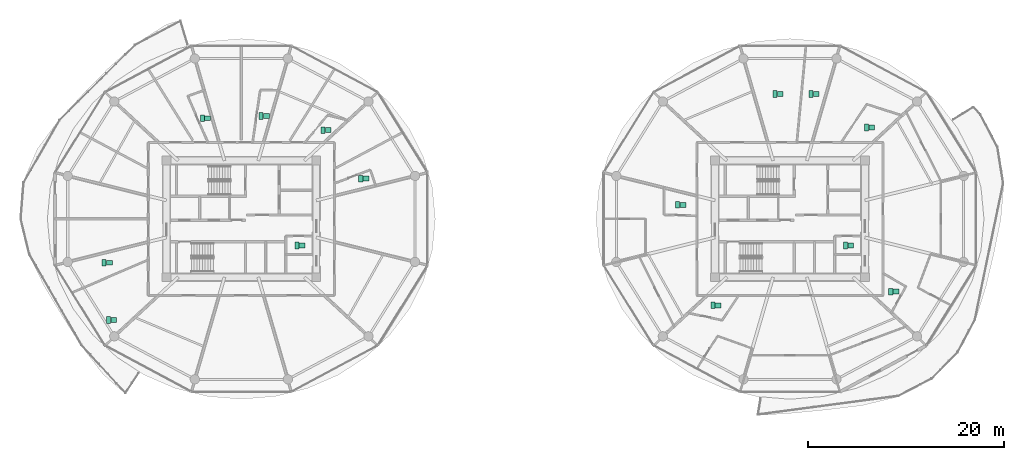
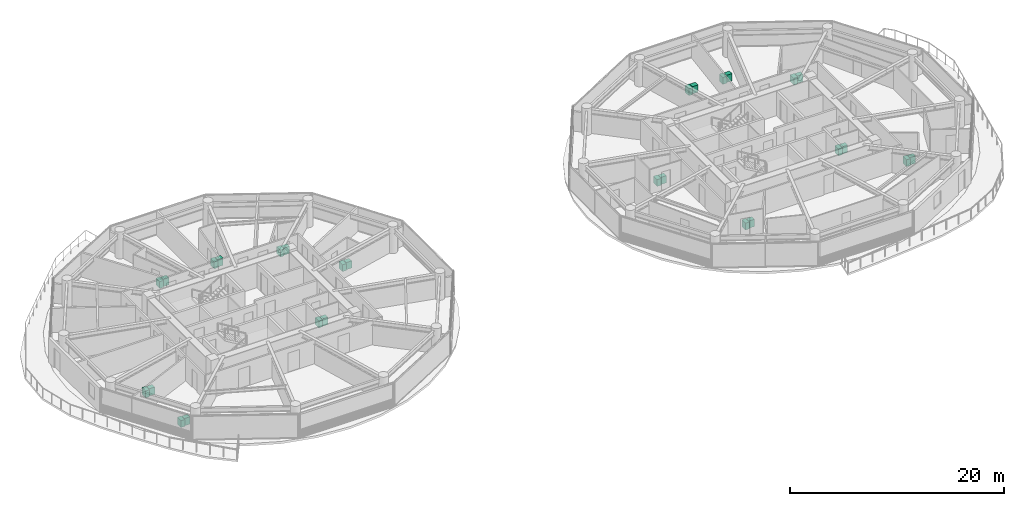
# One storey, part 27 of 27: 28 sanitary terminals.
"""IFC4 building model written with IfcOpenShell, lengths in metres."""

from ifc_helpers import new_model, si_unit, direction, frame, origin, origin_2d, place, context, subcontext, project, spatial, rectangle, extrude, source, transform, mapped, material, type_object, type_shapes, element, save


model = new_model("IFC4")

# Units and contexts
model_context = context("Model", 3, precision=1e-05, world=origin(), true_north=direction((0.0, 1.0)))
body_context = subcontext(model_context, "Body", "Model", "MODEL_VIEW")
ifc_project = project(units=[si_unit("LENGTHUNIT", "METRE"), si_unit("AREAUNIT", "SQUARE_METRE"), si_unit("VOLUMEUNIT", "CUBIC_METRE"), si_unit("PLANEANGLEUNIT", "RADIAN"), si_unit("MASSUNIT", "GRAM", prefix="KILO")], contexts=[model_context])

# Site, building, storey
site_placement = place(None, origin())
site = spatial("IfcSite", under=ifc_project, at=site_placement, CompositionType="ELEMENT")
building_placement = place(site_placement, origin())
building = spatial("IfcBuilding", under=site, at=building_placement, Name="Norrkilde Senior Care Towers", CompositionType="ELEMENT")
storey_placement = place(building_placement, frame((0.0, 0.0, 36.85009765625)))
storey = spatial("IfcBuildingStorey", under=building, at=storey_placement, Name="L10", CompositionType="ELEMENT", Elevation=36.85009765625)

# Sanitary terminals
ifc_material = material(Name="Porcelain Ceramic")
sanitary_terminal_type_1 = type_object("IfcSanitaryTerminalType", Name="Accessible Senior WC Suite", PredefinedType="TOILETPAN", material=ifc_material)
shared_shape_1 = source(origin(), body_context, "Body", "SweptSolid", [
    extrude(rectangle(XDim=0.419921875, YDim=0.679931640625, at=origin_2d()), origin(), (0.0, 0.0, 1.0), 0.780029296875),
])
type_shapes(sanitary_terminal_type_1, [shared_shape_1])
for number, where, z_axis, x_axis, name in (
    (1, (-22.324951171875, -2.715087890625, 0.0), (0.0, 0.0, 1.0), (1.0, 0.0, 0.0), "L10 Accessible WC Pan 0030"),
    (2, (-25.978759765625, 10.510498046875, 0.0), (0.0, 0.0, 1.0), (1.0, 0.0, 0.0), "L10 Accessible WC Pan 0031"),
    (3, (-31.96923828125, 10.277587890625, 0.0), (0.0, 0.0, 1.0), (1.0, 0.0, 0.0), "L10 Accessible WC Pan 0032"),
    (4, (-42.00244140625, -4.4755859375, 0.0), (0.0, 0.0, 1.0), (1.0, 0.0, 0.0), "L10 Accessible WC Pan 0033"),
    (5, (-41.56201171875, -10.3193359375, 0.0), (0.0, 0.0, 1.0), (1.0, 0.0, 0.0), "L10 Accessible WC Pan 0034"),
    (6, (-15.811279296875, 4.117431640625, 0.0), (0.0, 0.0, 1.0), (1.0, 0.0, 0.0), "L10 Accessible WC Pan 0035"),
    (7, (-19.664306640625, 9.068359375, 0.0), (0.0, 0.0, 1.0), (1.0, 0.0, 0.0), "L10 Accessible WC Pan 0036"),
    (8, (33.675048828125, -2.715087890625, 0.0), (0.0, 0.0, 1.0), (1.0, 0.0, 0.0), "L10 Accessible WC Pan 0037"),
    (9, (30.15380859375, 12.749267578125, 0.0), (0.0, 0.0, 1.0), (1.0, 0.0, 0.0), "L10 Accessible WC Pan 0038"),
    (10, (26.4736328125, 12.749267578125, 0.0), (0.0, 0.0, 1.0), (1.0, 0.0, 0.0), "L10 Accessible WC Pan 0039"),
    (11, (16.534912109375, 1.44091796875, 0.0), (0.0, 0.0, 1.0), (1.0, 0.0, 0.0), "L10 Accessible WC Pan 0040"),
    (12, (20.123779296875, -8.82666015625, 0.0), (0.0, 0.0, 1.0), (1.0, 0.0, 0.0), "L10 Accessible WC Pan 0041"),
    (13, (38.289794921875, -7.41748046875, 0.0), (0.0, 0.0, 1.0), (1.0, 0.0, 0.0), "L10 Accessible WC Pan 0042"),
    (14, (35.8212890625, 9.338623046875, 0.0), (0.0, 0.0, 1.0), (1.0, 0.0, 0.0), "L10 Accessible WC Pan 0043"),
):
    element("IfcSanitaryTerminal", number, at=place(storey_placement, frame(where, z_axis=z_axis, x_axis=x_axis)), inside=storey, type_object=sanitary_terminal_type_1, Name=name, PredefinedType="TOILETPAN", context=body_context, shape_type="MappedRepresentation", body=[
        mapped(shared_shape_1, transform((0.0, 0.0, 0.0), x_axis=(1.0, 0.0, 0.0), y_axis=(0.0, 1.0, 0.0), z_axis=(0.0, 0.0, 1.0), scale=1.0)),
    ])
sanitary_terminal_type_2 = type_object("IfcSanitaryTerminalType", Name="Thermostatic Care Washbasin", PredefinedType="WASHHANDBASIN", material=ifc_material)
shared_shape_2 = source(origin(), body_context, "Body", "SweptSolid", [
    extrude(rectangle(XDim=0.60009765625, YDim=0.5, at=origin_2d()), origin(), (0.0, 0.0, 1.0), 0.820068359375),
])
type_shapes(sanitary_terminal_type_2, [shared_shape_2])
for number, where, z_axis, x_axis, name in (
    (15, (-21.794921875, -2.715087890625, 0.0), (0.0, 0.0, 1.0), (1.0, 0.0, 0.0), "L10 Accessible Washbasin 0030"),
    (16, (-25.44873046875, 10.510498046875, 0.0), (0.0, 0.0, 1.0), (1.0, 0.0, 0.0), "L10 Accessible Washbasin 0031"),
    (17, (-31.439208984375, 10.277587890625, 0.0), (0.0, 0.0, 1.0), (1.0, 0.0, 0.0), "L10 Accessible Washbasin 0032"),
    (18, (-41.472412109375, -4.4755859375, 0.0), (0.0, 0.0, 1.0), (1.0, 0.0, 0.0), "L10 Accessible Washbasin 0033"),
    (19, (-41.031982421875, -10.3193359375, 0.0), (0.0, 0.0, 1.0), (1.0, 0.0, 0.0), "L10 Accessible Washbasin 0034"),
    (20, (-15.28125, 4.117431640625, 0.0), (0.0, 0.0, 1.0), (1.0, 0.0, 0.0), "L10 Accessible Washbasin 0035"),
    (21, (-19.134521484375, 9.068359375, 0.0), (0.0, 0.0, 1.0), (1.0, 0.0, 0.0), "L10 Accessible Washbasin 0036"),
    (22, (34.205078125, -2.715087890625, 0.0), (0.0, 0.0, 1.0), (1.0, 0.0, 0.0), "L10 Accessible Washbasin 0037"),
    (23, (30.68359375, 12.749267578125, 0.0), (0.0, 0.0, 1.0), (1.0, 0.0, 0.0), "L10 Accessible Washbasin 0038"),
    (24, (27.003662109375, 12.749267578125, 0.0), (0.0, 0.0, 1.0), (1.0, 0.0, 0.0), "L10 Accessible Washbasin 0039"),
    (25, (17.06494140625, 1.44091796875, 0.0), (0.0, 0.0, 1.0), (1.0, 0.0, 0.0), "L10 Accessible Washbasin 0040"),
    (26, (20.65380859375, -8.82666015625, 0.0), (0.0, 0.0, 1.0), (1.0, 0.0, 0.0), "L10 Accessible Washbasin 0041"),
    (27, (38.819580078125, -7.41748046875, 0.0), (0.0, 0.0, 1.0), (1.0, 0.0, 0.0), "L10 Accessible Washbasin 0042"),
    (28, (36.351318359375, 9.338623046875, 0.0), (0.0, 0.0, 1.0), (1.0, 0.0, 0.0), "L10 Accessible Washbasin 0043"),
):
    element("IfcSanitaryTerminal", number, at=place(storey_placement, frame(where, z_axis=z_axis, x_axis=x_axis)), inside=storey, type_object=sanitary_terminal_type_2, Name=name, PredefinedType="WASHHANDBASIN", context=body_context, shape_type="MappedRepresentation", body=[
        mapped(shared_shape_2, transform((0.0, 0.0, 0.0), x_axis=(1.0, 0.0, 0.0), y_axis=(0.0, 1.0, 0.0), z_axis=(0.0, 0.0, 1.0), scale=1.0)),
    ])

save(model, "model.ifc")
